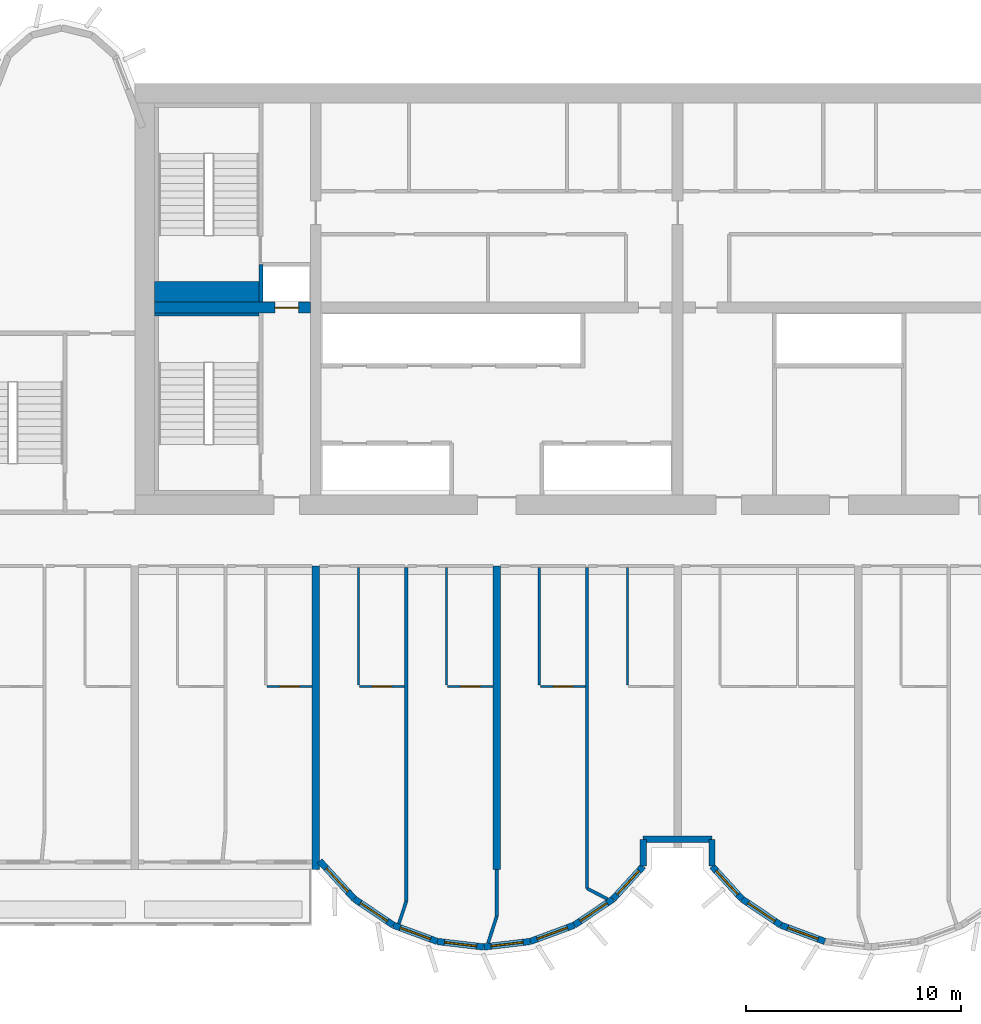
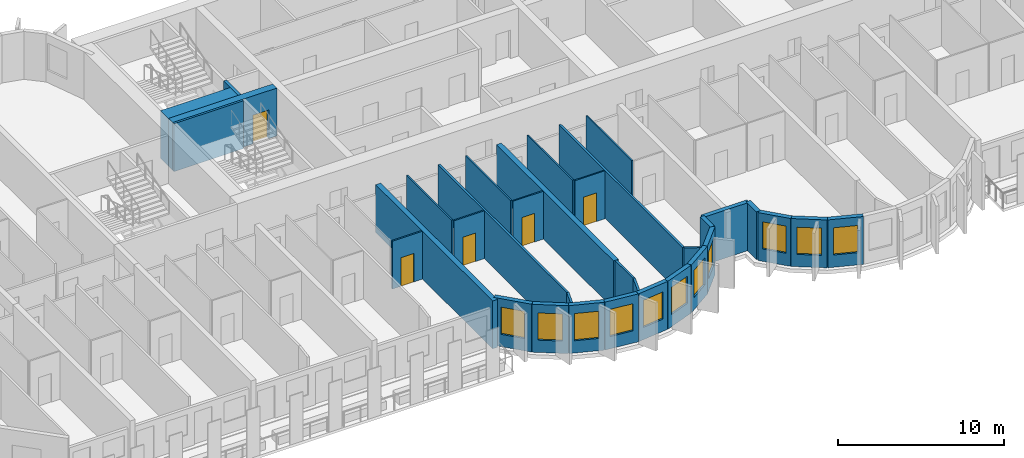
# One storey, part 5 of 15: 34 walls, 11 windows, 5 doors, 16 openings.
"""IFC4 building model written with IfcOpenShell, lengths in metres."""

from ifc_helpers import new_model, si_unit, direction, frame, frame_2d, origin, place, context, subcontext, project, spatial, rectangle, extrude, source, transform, mapped, material, layer, layer_set, type_object, element, fill, save


model = new_model("IFC4")

# Units and contexts
model_context = context("Model", 3, precision=1e-05, world=origin(), true_north=direction((0.0, 1.0)))
body_context = subcontext(model_context, "Body", "Model", "MODEL_VIEW")
ifc_project = project(units=[si_unit("LENGTHUNIT", "METRE"), si_unit("AREAUNIT", "SQUARE_METRE"), si_unit("VOLUMEUNIT", "CUBIC_METRE"), si_unit("PLANEANGLEUNIT", "RADIAN"), si_unit("MASSUNIT", "GRAM", prefix="KILO")], contexts=[model_context])

# Site, building, storey
site_placement = place(None, origin())
site = spatial("IfcSite", under=ifc_project, at=site_placement, CompositionType="ELEMENT")
building_placement = place(site_placement, origin())
building = spatial("IfcBuilding", under=site, at=building_placement, Name="Vanashikhar Sky Hotel", CompositionType="ELEMENT")
storey_placement = place(building_placement, frame((0.0, 0.0, 106.60009765625)))
storey = spatial("IfcBuildingStorey", under=building, at=storey_placement, Name="L25", CompositionType="ELEMENT", Elevation=106.60009765625)

# Wall, opening, door
ifc_material_1 = material(Name="Concrete M70", Category="concrete")
ifc_layer_1 = layer(ifc_material_1, 0.5)
ifc_layer_set_1 = layer_set([ifc_layer_1], Name="RC core inner wall 500 Concrete M70")
wall_type_1 = type_object("IfcWallType", Name="RC core inner wall 500 Concrete M70", PredefinedType="SHEAR", material=ifc_layer_set_1)
shared_shape_1 = source(origin(), body_context, "Body", "SweptSolid", [
    extrude(rectangle(XDim=7.25, YDim=0.5, at=frame_2d((3.625, 0.0))), origin(), (0.0, 0.0, 1.0), 3.52001953125),
])
wall_1_placement = place(storey_placement, frame((26.10009765625, 31.60009765625, 0.0), z_axis=(0.0, 0.0, 1.0), x_axis=(1.0, 0.0, 0.0)))
wall_1 = element("IfcWall", 1, at=wall_1_placement, inside=storey, type_object=wall_type_1, Name="KW-L25-KY1", PredefinedType="SHEAR", context=body_context, shape_type="MappedRepresentation", body=[
    mapped(shared_shape_1, transform((0.0, 0.0, 0.0), scale=1.0)),
])
shared_shape_2 = source(origin(), body_context, "Body", "SweptSolid", [
    extrude(rectangle(XDim=1.10009765625, YDim=2.10009765625, at=frame_2d((0.550048828125, 1.050048828125))), frame((0.0, 0.260009765625, 0.0), z_axis=(0.0, -1.0, 0.0), x_axis=(1.0, 0.0, 0.0)), (0.0, 0.0, 1.0), 0.52001953125),
])
opening_1_placement = place(wall_1_placement, frame((5.60009765625, 0.0, 0.0)))
opening_1 = element("IfcOpeningElement", 2, at=opening_1_placement, cuts=wall_1, Name="Opening LD", PredefinedType="OPENING", context=body_context, shape_type="MappedRepresentation", body=[
    mapped(shared_shape_2, transform((0.0, 0.0, 0.0), scale=1.0)),
])
ifc_material_2 = material(Name="Stainless steel", Category="steel")
door_type_1 = type_object("IfcDoorType", Name="Lift landing door 1100", OperationType="NOTDEFINED", PredefinedType="DOOR", material=ifc_material_2)
shared_shape_3 = source(origin(), body_context, "Body", "SweptSolid", [
    extrude(rectangle(XDim=1.10009765625, YDim=2.10009765625, at=frame_2d((0.550048828125, 1.050048828125))), frame((0.0, 0.02490234375, 0.0), z_axis=(0.0, -1.0, 0.0), x_axis=(1.0, 0.0, 0.0)), (0.0, 0.0, 1.0), 0.050048828125),
])
door_1_placement = place(opening_1_placement, origin())
door_1 = element("IfcDoor", 3, at=door_1_placement, inside=storey, type_object=door_type_1, Name="Lift landing door 1100", OperationType="SLIDING_TO_RIGHT", OverallHeight=2.10009765625, OverallWidth=1.10009765625, PredefinedType="DOOR", context=body_context, shape_type="MappedRepresentation", body=[
    mapped(shared_shape_3, transform((0.0, 0.0, 0.0), scale=1.0)),
])
fill(opening_1, door_1)

# Walls
ifc_layer_2 = layer(ifc_material_1, 0.35009765625)
ifc_layer_set_2 = layer_set([ifc_layer_2], Name="RC shear wall 350 Concrete M70")
wall_type_2 = type_object("IfcWallType", Name="RC shear wall 350 Concrete M70", PredefinedType="SHEAR", material=ifc_layer_set_2)
shared_shape_4 = source(origin(), body_context, "Body", "SweptSolid", [
    extrude(rectangle(XDim=14.10009765625, YDim=0.35009765625, at=frame_2d((7.050048828125, 0.0))), origin(), (0.0, 0.0, 1.0), 3.52001953125),
])
for number, where, z_axis, x_axis, name in (
    (4, (33.60009765625, 5.5, 0.0), (0.0, 0.0, 1.0), (0.0, 1.0, 0.0), "CW-L25-XW05-1"),
    (5, (42.0, 5.5, 0.0), (0.0, 0.0, 1.0), (0.0, 1.0, 0.0), "CW-L25-XW06-1"),
):
    element("IfcWall", number, at=place(storey_placement, frame(where, z_axis=z_axis, x_axis=x_axis)), inside=storey, type_object=wall_type_2, Name=name, PredefinedType="SHEAR", context=body_context, shape_type="MappedRepresentation", body=[
        mapped(shared_shape_4, transform((0.0, 0.0, 0.0), scale=1.0)),
    ])

# Wall, opening, window
ifc_material_3 = material(Name="Concrete M50", Category="concrete")
ifc_layer_3 = layer(ifc_material_3, 0.300048828125)
ifc_layer_set_3 = layer_set([ifc_layer_3], Name="Lobe wall 300")
wall_type_3 = type_object("IfcWallType", Name="Lobe wall 300", PredefinedType="SOLIDWALL", material=ifc_layer_set_3)
shared_shape_5 = source(origin(), body_context, "Body", "SweptSolid", [
    extrude(rectangle(XDim=2.398193359375, YDim=0.300048828125, at=frame_2d((1.19921875, 0.0))), origin(), (0.0, 0.0, 1.0), 3.52001953125),
])
wall_2_placement = place(storey_placement, frame((33.776123046875, 5.89990234375, 0.0), z_axis=(0.0, 0.0, 1.0), x_axis=(0.675374189419, -0.737475222815, 0.0)))
wall_2 = element("IfcWall", 6, at=wall_2_placement, inside=storey, type_object=wall_type_3, Name="Lobe wall", PredefinedType="SOLIDWALL", context=body_context, shape_type="MappedRepresentation", body=[
    mapped(shared_shape_5, transform((0.0, 0.0, 0.0), scale=1.0)),
])
shared_shape_6 = source(origin(), body_context, "Body", "SweptSolid", [
    extrude(rectangle(XDim=1.5, YDim=2.0, at=frame_2d((0.75, 1.0))), frame((0.0, 0.16015625, 0.0), z_axis=(0.0, -1.0, 0.0), x_axis=(1.0, 0.0, 0.0)), (0.0, 0.0, 1.0), 0.320068359375),
])
opening_2_placement = place(wall_2_placement, frame((0.44921875, 0.0, 0.89990234375)))
opening_2 = element("IfcOpeningElement", 7, at=opening_2_placement, cuts=wall_2, Name="Opening WN-2", PredefinedType="OPENING", context=body_context, shape_type="MappedRepresentation", body=[
    mapped(shared_shape_6, transform((0.0, 0.0, 0.0), scale=1.0)),
])
ifc_material_4 = material(Name="Glass", Category="glass")
window_type = type_object("IfcWindowType", Name="Lobe window 1500 x 2000", PartitioningType="SINGLE_PANEL", PredefinedType="WINDOW", material=ifc_material_4)
shared_shape_7 = source(origin(), body_context, "Body", "SweptSolid", [
    extrude(rectangle(XDim=1.5, YDim=2.0, at=frame_2d((0.75, 1.0))), frame((0.0, 0.030029296875, 0.0), z_axis=(0.0, -1.0, 0.0), x_axis=(1.0, 0.0, 0.0)), (0.0, 0.0, 1.0), 0.06005859375),
])
window_1_placement = place(opening_2_placement, origin())
window_1 = element("IfcWindow", 8, at=window_1_placement, inside=storey, type_object=window_type, Name="Window WN-2", OverallHeight=2.0, OverallWidth=1.5, PartitioningType="SINGLE_PANEL", PredefinedType="WINDOW", context=body_context, shape_type="MappedRepresentation", body=[
    mapped(shared_shape_7, transform((0.0, 0.0, 0.0), scale=1.0)),
])
fill(opening_2, window_1)

shared_shape_8 = source(origin(), body_context, "Body", "SweptSolid", [
    extrude(rectangle(XDim=2.17578125, YDim=0.300048828125, at=frame_2d((1.087890625, 0.0))), origin(), (0.0, 0.0, 1.0), 3.52001953125),
])
wall_3_placement = place(storey_placement, frame((35.395751953125, 4.13134765625, 0.0), z_axis=(0.0, 0.0, 1.0), x_axis=(0.829590746428, -0.558371913192, 0.0)))
wall_3 = element("IfcWall", 9, at=wall_3_placement, inside=storey, type_object=wall_type_3, Name="Lobe wall", PredefinedType="SOLIDWALL", context=body_context, shape_type="MappedRepresentation", body=[
    mapped(shared_shape_8, transform((0.0, 0.0, 0.0), scale=1.0)),
])
opening_3_placement = place(wall_3_placement, frame((0.337890625, 0.0, 0.89990234375)))
opening_3 = element("IfcOpeningElement", 10, at=opening_3_placement, cuts=wall_3, Name="Opening WN-2", PredefinedType="OPENING", context=body_context, shape_type="MappedRepresentation", body=[
    mapped(shared_shape_6, transform((0.0, 0.0, 0.0), scale=1.0)),
])
window_2_placement = place(opening_3_placement, origin())
window_2 = element("IfcWindow", 11, at=window_2_placement, inside=storey, type_object=window_type, Name="Window WN-2", OverallHeight=2.0, OverallWidth=1.5, PartitioningType="SINGLE_PANEL", PredefinedType="WINDOW", context=body_context, shape_type="MappedRepresentation", body=[
    mapped(shared_shape_7, transform((0.0, 0.0, 0.0), scale=1.0)),
])
fill(opening_3, window_2)

wall_4_placement = place(storey_placement, frame((37.20068359375, 2.91650390625, 0.0), z_axis=(0.0, 0.0, 1.0), x_axis=(0.93754555999, -0.347862505801, 0.0)))
wall_4 = element("IfcWall", 12, at=wall_4_placement, inside=storey, type_object=wall_type_3, Name="Lobe wall", PredefinedType="SOLIDWALL", context=body_context, shape_type="MappedRepresentation", body=[
    mapped(shared_shape_8, transform((0.0, 0.0, 0.0), scale=1.0)),
])
opening_4_placement = place(wall_4_placement, frame((0.337890625, 0.0, 0.89990234375)))
opening_4 = element("IfcOpeningElement", 13, at=opening_4_placement, cuts=wall_4, Name="Opening WN-2", PredefinedType="OPENING", context=body_context, shape_type="MappedRepresentation", body=[
    mapped(shared_shape_6, transform((0.0, 0.0, 0.0), scale=1.0)),
])
window_3_placement = place(opening_4_placement, origin())
window_3 = element("IfcWindow", 14, at=window_3_placement, inside=storey, type_object=window_type, Name="Window WN-2", OverallHeight=2.0, OverallWidth=1.5, PartitioningType="SINGLE_PANEL", PredefinedType="WINDOW", context=body_context, shape_type="MappedRepresentation", body=[
    mapped(shared_shape_7, transform((0.0, 0.0, 0.0), scale=1.0)),
])
fill(opening_4, window_3)

wall_5_placement = place(storey_placement, frame((45.59912109375, 2.91650390625, 0.0), z_axis=(0.0, 0.0, 1.0), x_axis=(0.829625727223, 0.558319937607, 0.0)))
wall_5 = element("IfcWall", 15, at=wall_5_placement, inside=storey, type_object=wall_type_3, Name="Lobe wall", PredefinedType="SOLIDWALL", context=body_context, shape_type="MappedRepresentation", body=[
    mapped(shared_shape_8, transform((0.0, 0.0, 0.0), scale=1.0)),
])
opening_5_placement = place(wall_5_placement, frame((0.337890625, 0.0, 0.89990234375)))
opening_5 = element("IfcOpeningElement", 16, at=opening_5_placement, cuts=wall_5, Name="Opening WN-2", PredefinedType="OPENING", context=body_context, shape_type="MappedRepresentation", body=[
    mapped(shared_shape_6, transform((0.0, 0.0, 0.0), scale=1.0)),
])
window_4_placement = place(opening_5_placement, origin())
window_4 = element("IfcWindow", 17, at=window_4_placement, inside=storey, type_object=window_type, Name="Window WN-2", OverallHeight=2.0, OverallWidth=1.5, PartitioningType="SINGLE_PANEL", PredefinedType="WINDOW", context=body_context, shape_type="MappedRepresentation", body=[
    mapped(shared_shape_7, transform((0.0, 0.0, 0.0), scale=1.0)),
])
fill(opening_5, window_4)

wall_6_placement = place(storey_placement, frame((53.395751953125, 4.13134765625, 0.0), z_axis=(0.0, 0.0, 1.0), x_axis=(0.829590746428, -0.558371913192, 0.0)))
wall_6 = element("IfcWall", 18, at=wall_6_placement, inside=storey, type_object=wall_type_3, Name="Lobe wall", PredefinedType="SOLIDWALL", context=body_context, shape_type="MappedRepresentation", body=[
    mapped(shared_shape_8, transform((0.0, 0.0, 0.0), scale=1.0)),
])
opening_6_placement = place(wall_6_placement, frame((0.337890625, 0.0, 0.89990234375)))
opening_6 = element("IfcOpeningElement", 19, at=opening_6_placement, cuts=wall_6, Name="Opening WN-2", PredefinedType="OPENING", context=body_context, shape_type="MappedRepresentation", body=[
    mapped(shared_shape_6, transform((0.0, 0.0, 0.0), scale=1.0)),
])
window_5_placement = place(opening_6_placement, origin())
window_5 = element("IfcWindow", 20, at=window_5_placement, inside=storey, type_object=window_type, Name="Window WN-2", OverallHeight=2.0, OverallWidth=1.5, PartitioningType="SINGLE_PANEL", PredefinedType="WINDOW", context=body_context, shape_type="MappedRepresentation", body=[
    mapped(shared_shape_7, transform((0.0, 0.0, 0.0), scale=1.0)),
])
fill(opening_6, window_5)

wall_7_placement = place(storey_placement, frame((55.20068359375, 2.91650390625, 0.0), z_axis=(0.0, 0.0, 1.0), x_axis=(0.93754555999, -0.347862505801, 0.0)))
wall_7 = element("IfcWall", 21, at=wall_7_placement, inside=storey, type_object=wall_type_3, Name="Lobe wall", PredefinedType="SOLIDWALL", context=body_context, shape_type="MappedRepresentation", body=[
    mapped(shared_shape_8, transform((0.0, 0.0, 0.0), scale=1.0)),
])
opening_7_placement = place(wall_7_placement, frame((0.337890625, 0.0, 0.89990234375)))
opening_7 = element("IfcOpeningElement", 22, at=opening_7_placement, cuts=wall_7, Name="Opening WN-2", PredefinedType="OPENING", context=body_context, shape_type="MappedRepresentation", body=[
    mapped(shared_shape_6, transform((0.0, 0.0, 0.0), scale=1.0)),
])
window_6_placement = place(opening_7_placement, origin())
window_6 = element("IfcWindow", 23, at=window_6_placement, inside=storey, type_object=window_type, Name="Window WN-2", OverallHeight=2.0, OverallWidth=1.5, PartitioningType="SINGLE_PANEL", PredefinedType="WINDOW", context=body_context, shape_type="MappedRepresentation", body=[
    mapped(shared_shape_7, transform((0.0, 0.0, 0.0), scale=1.0)),
])
fill(opening_7, window_6)

shared_shape_9 = source(origin(), body_context, "Body", "SweptSolid", [
    extrude(rectangle(XDim=2.174560546875, YDim=0.300048828125, at=frame_2d((1.08740234375, 0.0))), origin(), (0.0, 0.0, 1.0), 3.52001953125),
])
wall_8_placement = place(storey_placement, frame((39.240478515625, 2.15966796875, 0.0), z_axis=(0.0, 0.0, 1.0), x_axis=(0.993001132889, -0.118104826659, 0.0)))
wall_8 = element("IfcWall", 24, at=wall_8_placement, inside=storey, type_object=wall_type_3, Name="Lobe wall", PredefinedType="SOLIDWALL", context=body_context, shape_type="MappedRepresentation", body=[
    mapped(shared_shape_9, transform((0.0, 0.0, 0.0), scale=1.0)),
])
opening_8_placement = place(wall_8_placement, frame((0.33740234375, 0.0, 0.89990234375)))
opening_8 = element("IfcOpeningElement", 25, at=opening_8_placement, cuts=wall_8, Name="Opening WN-2", PredefinedType="OPENING", context=body_context, shape_type="MappedRepresentation", body=[
    mapped(shared_shape_6, transform((0.0, 0.0, 0.0), scale=1.0)),
])
window_7_placement = place(opening_8_placement, origin())
window_7 = element("IfcWindow", 26, at=window_7_placement, inside=storey, type_object=window_type, Name="Window WN-2", OverallHeight=2.0, OverallWidth=1.5, PartitioningType="SINGLE_PANEL", PredefinedType="WINDOW", context=body_context, shape_type="MappedRepresentation", body=[
    mapped(shared_shape_7, transform((0.0, 0.0, 0.0), scale=1.0)),
])
fill(opening_8, window_7)

shared_shape_10 = source(origin(), body_context, "Body", "SweptSolid", [
    extrude(rectangle(XDim=2.1748046875, YDim=0.300048828125, at=frame_2d((1.08740234375, 0.0))), origin(), (0.0, 0.0, 1.0), 3.52001953125),
])
wall_9_placement = place(storey_placement, frame((41.39990234375, 1.90283203125, 0.0), z_axis=(0.0, 0.0, 1.0), x_axis=(0.993002698611, 0.118091661648, 0.0)))
wall_9 = element("IfcWall", 27, at=wall_9_placement, inside=storey, type_object=wall_type_3, Name="Lobe wall", PredefinedType="SOLIDWALL", context=body_context, shape_type="MappedRepresentation", body=[
    mapped(shared_shape_10, transform((0.0, 0.0, 0.0), scale=1.0)),
])
opening_9_placement = place(wall_9_placement, frame((0.33740234375, 0.0, 0.89990234375)))
opening_9 = element("IfcOpeningElement", 28, at=opening_9_placement, cuts=wall_9, Name="Opening WN-2", PredefinedType="OPENING", context=body_context, shape_type="MappedRepresentation", body=[
    mapped(shared_shape_6, transform((0.0, 0.0, 0.0), scale=1.0)),
])
window_8_placement = place(opening_9_placement, origin())
window_8 = element("IfcWindow", 29, at=window_8_placement, inside=storey, type_object=window_type, Name="Window WN-2", OverallHeight=2.0, OverallWidth=1.5, PartitioningType="SINGLE_PANEL", PredefinedType="WINDOW", context=body_context, shape_type="MappedRepresentation", body=[
    mapped(shared_shape_7, transform((0.0, 0.0, 0.0), scale=1.0)),
])
fill(opening_9, window_8)

shared_shape_11 = source(origin(), body_context, "Body", "SweptSolid", [
    extrude(rectangle(XDim=2.175537109375, YDim=0.300048828125, at=frame_2d((1.087890625, 0.0))), origin(), (0.0, 0.0, 1.0), 3.52001953125),
])
wall_10_placement = place(storey_placement, frame((43.5595703125, 2.15966796875, 0.0), z_axis=(0.0, 0.0, 1.0), x_axis=(0.937531979054, 0.347899106424, 0.0)))
wall_10 = element("IfcWall", 30, at=wall_10_placement, inside=storey, type_object=wall_type_3, Name="Lobe wall", PredefinedType="SOLIDWALL", context=body_context, shape_type="MappedRepresentation", body=[
    mapped(shared_shape_11, transform((0.0, 0.0, 0.0), scale=1.0)),
])
opening_10_placement = place(wall_10_placement, frame((0.337890625, 0.0, 0.89990234375)))
opening_10 = element("IfcOpeningElement", 31, at=opening_10_placement, cuts=wall_10, Name="Opening WN-2", PredefinedType="OPENING", context=body_context, shape_type="MappedRepresentation", body=[
    mapped(shared_shape_6, transform((0.0, 0.0, 0.0), scale=1.0)),
])
window_9_placement = place(opening_10_placement, origin())
window_9 = element("IfcWindow", 32, at=window_9_placement, inside=storey, type_object=window_type, Name="Window WN-2", OverallHeight=2.0, OverallWidth=1.5, PartitioningType="SINGLE_PANEL", PredefinedType="WINDOW", context=body_context, shape_type="MappedRepresentation", body=[
    mapped(shared_shape_7, transform((0.0, 0.0, 0.0), scale=1.0)),
])
fill(opening_10, window_9)

shared_shape_12 = source(origin(), body_context, "Body", "SweptSolid", [
    extrude(rectangle(XDim=2.066650390625, YDim=0.300048828125, at=frame_2d((1.033203125, 0.0))), origin(), (0.0, 0.0, 1.0), 3.52001953125),
])
wall_11_placement = place(storey_placement, frame((47.404296875, 4.13134765625, 0.0), z_axis=(0.0, 0.0, 1.0), x_axis=(0.675355439877, 0.737492393065, 0.0)))
wall_11 = element("IfcWall", 33, at=wall_11_placement, inside=storey, type_object=wall_type_3, Name="Lobe wall", PredefinedType="SOLIDWALL", context=body_context, shape_type="MappedRepresentation", body=[
    mapped(shared_shape_12, transform((0.0, 0.0, 0.0), scale=1.0)),
])
opening_11_placement = place(wall_11_placement, frame((0.283447265625, 0.0, 0.89990234375)))
opening_11 = element("IfcOpeningElement", 34, at=opening_11_placement, cuts=wall_11, Name="Opening WN-2", PredefinedType="OPENING", context=body_context, shape_type="MappedRepresentation", body=[
    mapped(shared_shape_6, transform((0.0, 0.0, 0.0), scale=1.0)),
])
window_10_placement = place(opening_11_placement, origin())
window_10 = element("IfcWindow", 35, at=window_10_placement, inside=storey, type_object=window_type, Name="Window WN-2", OverallHeight=2.0, OverallWidth=1.5, PartitioningType="SINGLE_PANEL", PredefinedType="WINDOW", context=body_context, shape_type="MappedRepresentation", body=[
    mapped(shared_shape_7, transform((0.0, 0.0, 0.0), scale=1.0)),
])
fill(opening_11, window_10)

wall_12_placement = place(storey_placement, frame((52.0, 5.655517578125, 0.0), z_axis=(0.0, 0.0, 1.0), x_axis=(0.675355439877, -0.737492393065, 0.0)))
wall_12 = element("IfcWall", 36, at=wall_12_placement, inside=storey, type_object=wall_type_3, Name="Lobe wall", PredefinedType="SOLIDWALL", context=body_context, shape_type="MappedRepresentation", body=[
    mapped(shared_shape_12, transform((0.0, 0.0, 0.0), scale=1.0)),
])
opening_12_placement = place(wall_12_placement, frame((0.283447265625, 0.0, 0.89990234375)))
opening_12 = element("IfcOpeningElement", 37, at=opening_12_placement, cuts=wall_12, Name="Opening WN-2", PredefinedType="OPENING", context=body_context, shape_type="MappedRepresentation", body=[
    mapped(shared_shape_6, transform((0.0, 0.0, 0.0), scale=1.0)),
])
window_11_placement = place(opening_12_placement, origin())
window_11 = element("IfcWindow", 38, at=window_11_placement, inside=storey, type_object=window_type, Name="Window WN-2", OverallHeight=2.0, OverallWidth=1.5, PartitioningType="SINGLE_PANEL", PredefinedType="WINDOW", context=body_context, shape_type="MappedRepresentation", body=[
    mapped(shared_shape_7, transform((0.0, 0.0, 0.0), scale=1.0)),
])
fill(opening_12, window_11)

# Walls
shared_shape_13 = source(origin(), body_context, "Body", "SweptSolid", [
    extrude(rectangle(XDim=1.244384765625, YDim=0.300048828125, at=frame_2d((0.6220703125, 0.0))), origin(), (0.0, 0.0, 1.0), 3.52001953125),
])
for number, where, z_axis, x_axis, name in (
    (39, (48.800048828125, 5.655517578125, 0.0), (0.0, 0.0, 1.0), (0.0, 1.0, 0.0), "Groove wall"),
    (40, (52.0, 6.89990234375, 0.0), (0.0, 0.0, 1.0), (0.0, -1.0, 0.0), "Groove wall"),
):
    element("IfcWall", number, at=place(storey_placement, frame(where, z_axis=z_axis, x_axis=x_axis)), inside=storey, type_object=wall_type_3, Name=name, PredefinedType="SOLIDWALL", context=body_context, shape_type="MappedRepresentation", body=[
        mapped(shared_shape_13, transform((0.0, 0.0, 0.0), scale=1.0)),
    ])
shared_shape_14 = source(origin(), body_context, "Body", "SweptSolid", [
    extrude(rectangle(XDim=3.199951171875, YDim=0.300048828125, at=frame_2d((1.60009765625, 0.0))), origin(), (0.0, 0.0, 1.0), 3.52001953125),
])
wall_13_placement = place(storey_placement, frame((48.800048828125, 6.89990234375, 0.0), z_axis=(0.0, 0.0, 1.0), x_axis=(1.0, 0.0, 0.0)))
element("IfcWall", 41, at=wall_13_placement, inside=storey, type_object=wall_type_3, Name="Groove wall", PredefinedType="SOLIDWALL", context=body_context, shape_type="MappedRepresentation", body=[
    mapped(shared_shape_14, transform((0.0, 0.0, 0.0), scale=1.0)),
])
ifc_material_5 = material(Name="Concrete M40", Category="concrete")
ifc_layer_4 = layer(ifc_material_5, 0.199951171875)
ifc_layer_set_4 = layer_set([ifc_layer_4], Name="Shaft wall 200")
wall_type_4 = type_object("IfcWallType", Name="Shaft wall 200", PredefinedType="SOLIDWALL", material=ifc_layer_set_4)
shared_shape_15 = source(origin(), body_context, "Body", "SweptSolid", [
    extrude(rectangle(XDim=1.75, YDim=0.199951171875, at=frame_2d((0.875, 0.0))), origin(), (0.0, 0.0, 1.0), 3.52001953125),
])
wall_14_placement = place(storey_placement, frame((31.050048828125, 31.85009765625, 0.0), z_axis=(0.0, 0.0, 1.0), x_axis=(0.0, 1.0, 0.0)))
element("IfcWall", 42, at=wall_14_placement, inside=storey, type_object=wall_type_4, Name="Shaft wall 200", PredefinedType="SOLIDWALL", context=body_context, shape_type="MappedRepresentation", body=[
    mapped(shared_shape_15, transform((0.0, 0.0, 0.0), scale=1.0)),
])
ifc_layer_5 = layer(ifc_material_3, 0.14990234375)
ifc_layer_set_5 = layer_set([ifc_layer_5], Name="Stair infill wall 150")
wall_type_5 = type_object("IfcWallType", Name="Stair infill wall 150", PredefinedType="SOLIDWALL", material=ifc_layer_set_5)
shared_shape_16 = source(origin(), body_context, "Body", "SweptSolid", [
    extrude(rectangle(XDim=4.849853515625, YDim=0.14990234375, at=frame_2d((2.4248046875, 0.0))), origin(), (0.0, 0.0, 1.0), 3.52001953125),
])
wall_15_placement = place(storey_placement, frame((26.10009765625, 31.27490234375, 0.0), z_axis=(0.0, 0.0, 1.0), x_axis=(1.0, 0.0, 0.0)))
element("IfcWall", 43, at=wall_15_placement, inside=storey, type_object=wall_type_5, Name="Stair infill wall 150", PredefinedType="SOLIDWALL", context=body_context, shape_type="MappedRepresentation", body=[
    mapped(shared_shape_16, transform((0.0, 0.0, 0.0), scale=1.0)),
])
ifc_layer_6 = layer(ifc_material_3, 0.949951171875)
ifc_layer_set_6 = layer_set([ifc_layer_6], Name="Stair infill wall 950")
wall_type_6 = type_object("IfcWallType", Name="Stair infill wall 950", PredefinedType="SOLIDWALL", material=ifc_layer_set_6)
shared_shape_17 = source(origin(), body_context, "Body", "SweptSolid", [
    extrude(rectangle(XDim=4.849853515625, YDim=0.949951171875, at=frame_2d((2.4248046875, 0.0))), origin(), (0.0, 0.0, 1.0), 3.52001953125),
])
wall_16_placement = place(storey_placement, frame((26.10009765625, 32.324951171875, 0.0), z_axis=(0.0, 0.0, 1.0), x_axis=(1.0, 0.0, 0.0)))
element("IfcWall", 44, at=wall_16_placement, inside=storey, type_object=wall_type_6, Name="Stair infill wall 950", PredefinedType="SOLIDWALL", context=body_context, shape_type="MappedRepresentation", body=[
    mapped(shared_shape_17, transform((0.0, 0.0, 0.0), scale=1.0)),
])
ifc_material_6 = material(Name="Gypsum plasterboard partition")
ifc_layer_7 = layer(ifc_material_6, 0.14990234375)
ifc_layer_set_7 = layer_set([ifc_layer_7], Name="Corridor and demising partition 150")
wall_type_7 = type_object("IfcWallType", Name="Corridor and demising partition 150", PredefinedType="PARTITIONING", material=ifc_layer_set_7)
shared_shape_18 = source(origin(), body_context, "Body", "SweptSolid", [
    extrude(rectangle(XDim=2.177978515625, YDim=0.14990234375, at=frame_2d((1.0888671875, 0.0))), origin(), (0.0, 0.0, 1.0), 3.52001953125),
])
wall_17_placement = place(storey_placement, frame((42.0, 3.322021484375, 0.0), z_axis=(0.0, 0.0, 1.0), x_axis=(0.0, 1.0, 0.0)))
element("IfcWall", 45, at=wall_17_placement, inside=storey, type_object=wall_type_7, Name="W-L25-PW079", PredefinedType="PARTITIONING", context=body_context, shape_type="MappedRepresentation", body=[
    mapped(shared_shape_18, transform((0.0, 0.0, 0.0), scale=1.0)),
])
shared_shape_19 = source(origin(), body_context, "Body", "SweptSolid", [
    extrude(rectangle(XDim=1.100830078125, YDim=0.14990234375, at=frame_2d((0.55029296875, 0.0))), origin(), (0.0, 0.0, 1.0), 3.52001953125),
])
wall_18_placement = place(storey_placement, frame((37.45703125, 2.98095703125, 0.0), z_axis=(0.0, 0.0, 1.0), x_axis=(0.311567081539, 0.950224159712, 0.0)))
element("IfcWall", 46, at=wall_18_placement, inside=storey, type_object=wall_type_7, Name="W-L25-PW035B0", PredefinedType="PARTITIONING", context=body_context, shape_type="MappedRepresentation", body=[
    mapped(shared_shape_19, transform((0.0, 0.0, 0.0), scale=1.0)),
])
shared_shape_20 = source(origin(), body_context, "Body", "SweptSolid", [
    extrude(rectangle(XDim=1.0576171875, YDim=0.14990234375, at=frame_2d((0.52880859375, 0.0))), origin(), (0.0, 0.0, 1.0), 3.52001953125),
])
wall_19_placement = place(storey_placement, frame((47.139892578125, 4.134033203125, 0.0), z_axis=(0.0, 0.0, 1.0), x_axis=(-0.888723819054, 0.458442988218, 0.0)))
element("IfcWall", 47, at=wall_19_placement, inside=storey, type_object=wall_type_7, Name="W-L25-PW042B0", PredefinedType="PARTITIONING", context=body_context, shape_type="MappedRepresentation", body=[
    mapped(shared_shape_20, transform((0.0, 0.0, 0.0), scale=1.0)),
])
shared_shape_21 = source(origin(), body_context, "Body", "SweptSolid", [
    extrude(rectangle(XDim=1.308349609375, YDim=0.14990234375, at=frame_2d((0.654296875, 0.0))), origin(), (0.0, 0.0, 1.0), 3.52001953125),
])
wall_20_placement = place(storey_placement, frame((41.597900390625, 2.076904296875, 0.0), z_axis=(0.0, 0.0, 1.0), x_axis=(0.307313512187, 0.951608325535, 0.0)))
element("IfcWall", 48, at=wall_20_placement, inside=storey, type_object=wall_type_7, Name="W-L25-PW079B0", PredefinedType="PARTITIONING", context=body_context, shape_type="MappedRepresentation", body=[
    mapped(shared_shape_21, transform((0.0, 0.0, 0.0), scale=1.0)),
])
ifc_layer_8 = layer(ifc_material_6, 0.10009765625)
ifc_layer_set_8 = layer_set([ifc_layer_8], Name="Wet room partition 100")
wall_type_8 = type_object("IfcWallType", Name="Wet room partition 100", PredefinedType="PARTITIONING", material=ifc_layer_set_8)
shared_shape_22 = source(origin(), body_context, "Body", "SweptSolid", [
    extrude(rectangle(XDim=5.449951171875, YDim=0.10009765625, at=frame_2d((2.72509765625, 0.0))), origin(), (0.0, 0.0, 1.0), 3.52001953125),
])
for number, where, z_axis, x_axis, name in (
    (49, (35.574951171875, 14.074951171875, 0.0), (0.0, 0.0, 1.0), (0.0, 1.0, 0.0), "W-L25-PW029"),
    (50, (39.675048828125, 14.074951171875, 0.0), (0.0, 0.0, 1.0), (0.0, 1.0, 0.0), "W-L25-PW032"),
    (51, (43.97509765625, 14.074951171875, 0.0), (0.0, 0.0, 1.0), (0.0, 1.0, 0.0), "W-L25-PW036"),
    (52, (48.074951171875, 14.074951171875, 0.0), (0.0, 0.0, 1.0), (0.0, 1.0, 0.0), "W-L25-PW039"),
):
    element("IfcWall", number, at=place(storey_placement, frame(where, z_axis=z_axis, x_axis=x_axis)), inside=storey, type_object=wall_type_8, Name=name, PredefinedType="PARTITIONING", context=body_context, shape_type="MappedRepresentation", body=[
        mapped(shared_shape_22, transform((0.0, 0.0, 0.0), scale=1.0)),
    ])

# Wall, opening, door
shared_shape_23 = source(origin(), body_context, "Body", "SweptSolid", [
    extrude(rectangle(XDim=2.10009765625, YDim=0.10009765625, at=frame_2d((1.050048828125, 0.0))), origin(), (0.0, 0.0, 1.0), 3.52001953125),
])
wall_21_placement = place(storey_placement, frame((31.324951171875, 14.0, 0.0), z_axis=(0.0, 0.0, 1.0), x_axis=(1.0, 0.0, 0.0)))
wall_21 = element("IfcWall", 53, at=wall_21_placement, inside=storey, type_object=wall_type_8, Name="W-L25-PW026", PredefinedType="PARTITIONING", context=body_context, shape_type="MappedRepresentation", body=[
    mapped(shared_shape_23, transform((0.0, 0.0, 0.0), scale=1.0)),
])
shared_shape_24 = source(origin(), body_context, "Body", "SweptSolid", [
    extrude(rectangle(XDim=0.89990234375, YDim=2.10009765625, at=frame_2d((0.449951171875, 1.050048828125))), frame((0.0, 0.06005859375, 0.0), z_axis=(0.0, -1.0, 0.0), x_axis=(1.0, 0.0, 0.0)), (0.0, 0.0, 1.0), 0.1201171875),
])
opening_13_placement = place(wall_21_placement, frame((0.60009765625, 0.0, 0.0)))
opening_13 = element("IfcOpeningElement", 54, at=opening_13_placement, cuts=wall_21, Name="Opening D-02", PredefinedType="OPENING", context=body_context, shape_type="MappedRepresentation", body=[
    mapped(shared_shape_24, transform((0.0, 0.0, 0.0), scale=1.0)),
])
ifc_material_7 = material(Name="Timber door", Category="wood")
door_type_2 = type_object("IfcDoorType", Name="Internal door 900", OperationType="NOTDEFINED", PredefinedType="DOOR", material=ifc_material_7)
shared_shape_25 = source(origin(), body_context, "Body", "SweptSolid", [
    extrude(rectangle(XDim=0.89990234375, YDim=2.10009765625, at=frame_2d((0.449951171875, 1.050048828125))), frame((0.0, 0.02490234375, 0.0), z_axis=(0.0, -1.0, 0.0), x_axis=(1.0, 0.0, 0.0)), (0.0, 0.0, 1.0), 0.050048828125),
])
door_2_placement = place(opening_13_placement, origin())
door_2 = element("IfcDoor", 55, at=door_2_placement, inside=storey, type_object=door_type_2, Name="D-L25-015", OperationType="SINGLE_SWING_LEFT", OverallHeight=2.10009765625, OverallWidth=0.89990234375, PredefinedType="DOOR", context=body_context, shape_type="MappedRepresentation", body=[
    mapped(shared_shape_25, transform((0.0, 0.0, 0.0), scale=1.0)),
])
fill(opening_13, door_2)

wall_22_placement = place(storey_placement, frame((35.625, 14.0, 0.0), z_axis=(0.0, 0.0, 1.0), x_axis=(1.0, 0.0, 0.0)))
wall_22 = element("IfcWall", 56, at=wall_22_placement, inside=storey, type_object=wall_type_8, Name="W-L25-PW030", PredefinedType="PARTITIONING", context=body_context, shape_type="MappedRepresentation", body=[
    mapped(shared_shape_23, transform((0.0, 0.0, 0.0), scale=1.0)),
])
opening_14_placement = place(wall_22_placement, frame((0.60009765625, 0.0, 0.0)))
opening_14 = element("IfcOpeningElement", 57, at=opening_14_placement, cuts=wall_22, Name="Opening D-02", PredefinedType="OPENING", context=body_context, shape_type="MappedRepresentation", body=[
    mapped(shared_shape_24, transform((0.0, 0.0, 0.0), scale=1.0)),
])
door_3_placement = place(opening_14_placement, origin())
door_3 = element("IfcDoor", 58, at=door_3_placement, inside=storey, type_object=door_type_2, Name="D-L25-017", OperationType="SINGLE_SWING_LEFT", OverallHeight=2.10009765625, OverallWidth=0.89990234375, PredefinedType="DOOR", context=body_context, shape_type="MappedRepresentation", body=[
    mapped(shared_shape_25, transform((0.0, 0.0, 0.0), scale=1.0)),
])
fill(opening_14, door_3)

wall_23_placement = place(storey_placement, frame((44.02490234375, 14.0, 0.0), z_axis=(0.0, 0.0, 1.0), x_axis=(1.0, 0.0, 0.0)))
wall_23 = element("IfcWall", 59, at=wall_23_placement, inside=storey, type_object=wall_type_8, Name="W-L25-PW037", PredefinedType="PARTITIONING", context=body_context, shape_type="MappedRepresentation", body=[
    mapped(shared_shape_23, transform((0.0, 0.0, 0.0), scale=1.0)),
])
opening_15_placement = place(wall_23_placement, frame((0.60009765625, 0.0, 0.0)))
opening_15 = element("IfcOpeningElement", 60, at=opening_15_placement, cuts=wall_23, Name="Opening D-02", PredefinedType="OPENING", context=body_context, shape_type="MappedRepresentation", body=[
    mapped(shared_shape_24, transform((0.0, 0.0, 0.0), scale=1.0)),
])
door_4_placement = place(opening_15_placement, origin())
door_4 = element("IfcDoor", 61, at=door_4_placement, inside=storey, type_object=door_type_2, Name="D-L25-021", OperationType="SINGLE_SWING_LEFT", OverallHeight=2.10009765625, OverallWidth=0.89990234375, PredefinedType="DOOR", context=body_context, shape_type="MappedRepresentation", body=[
    mapped(shared_shape_25, transform((0.0, 0.0, 0.0), scale=1.0)),
])
fill(opening_15, door_4)

shared_shape_26 = source(origin(), body_context, "Body", "SweptSolid", [
    extrude(rectangle(XDim=2.099853515625, YDim=0.10009765625, at=frame_2d((1.0498046875, 0.0))), origin(), (0.0, 0.0, 1.0), 3.52001953125),
])
wall_24_placement = place(storey_placement, frame((39.72509765625, 14.0, 0.0), z_axis=(0.0, 0.0, 1.0), x_axis=(1.0, 0.0, 0.0)))
wall_24 = element("IfcWall", 62, at=wall_24_placement, inside=storey, type_object=wall_type_8, Name="W-L25-PW033", PredefinedType="PARTITIONING", context=body_context, shape_type="MappedRepresentation", body=[
    mapped(shared_shape_26, transform((0.0, 0.0, 0.0), scale=1.0)),
])
opening_16_placement = place(wall_24_placement, frame((0.60009765625, 0.0, 0.0)))
opening_16 = element("IfcOpeningElement", 63, at=opening_16_placement, cuts=wall_24, Name="Opening D-02", PredefinedType="OPENING", context=body_context, shape_type="MappedRepresentation", body=[
    mapped(shared_shape_24, transform((0.0, 0.0, 0.0), scale=1.0)),
])
door_5_placement = place(opening_16_placement, origin())
door_5 = element("IfcDoor", 64, at=door_5_placement, inside=storey, type_object=door_type_2, Name="D-L25-019", OperationType="SINGLE_SWING_LEFT", OverallHeight=2.10009765625, OverallWidth=0.89990234375, PredefinedType="DOOR", context=body_context, shape_type="MappedRepresentation", body=[
    mapped(shared_shape_25, transform((0.0, 0.0, 0.0), scale=1.0)),
])
fill(opening_16, door_5)

# Walls
shared_shape_27 = source(origin(), body_context, "Body", "SweptSolid", [
    extrude(rectangle(XDim=15.497802734375, YDim=0.14990234375, at=frame_2d((7.7490234375, 0.0))), origin(), (0.0, 0.0, 1.0), 3.52001953125),
])
wall_25_placement = place(storey_placement, frame((37.800048828125, 4.027099609375, 0.0), z_axis=(0.0, 0.0, 1.0), x_axis=(0.0, 1.0, 0.0)))
element("IfcWall", 65, at=wall_25_placement, inside=storey, type_object=wall_type_7, Name="W-L25-PW035", PredefinedType="PARTITIONING", context=body_context, shape_type="MappedRepresentation", body=[
    mapped(shared_shape_27, transform((0.0, 0.0, 0.0), scale=1.0)),
])
shared_shape_28 = source(origin(), body_context, "Body", "SweptSolid", [
    extrude(rectangle(XDim=14.906005859375, YDim=0.14990234375, at=frame_2d((7.453125, 0.0))), origin(), (0.0, 0.0, 1.0), 3.52001953125),
])
wall_26_placement = place(storey_placement, frame((46.199951171875, 4.618896484375, 0.0), z_axis=(0.0, 0.0, 1.0), x_axis=(0.0, 1.0, 0.0)))
element("IfcWall", 66, at=wall_26_placement, inside=storey, type_object=wall_type_7, Name="W-L25-PW042", PredefinedType="PARTITIONING", context=body_context, shape_type="MappedRepresentation", body=[
    mapped(shared_shape_28, transform((0.0, 0.0, 0.0), scale=1.0)),
])

save(model, "model.ifc")
